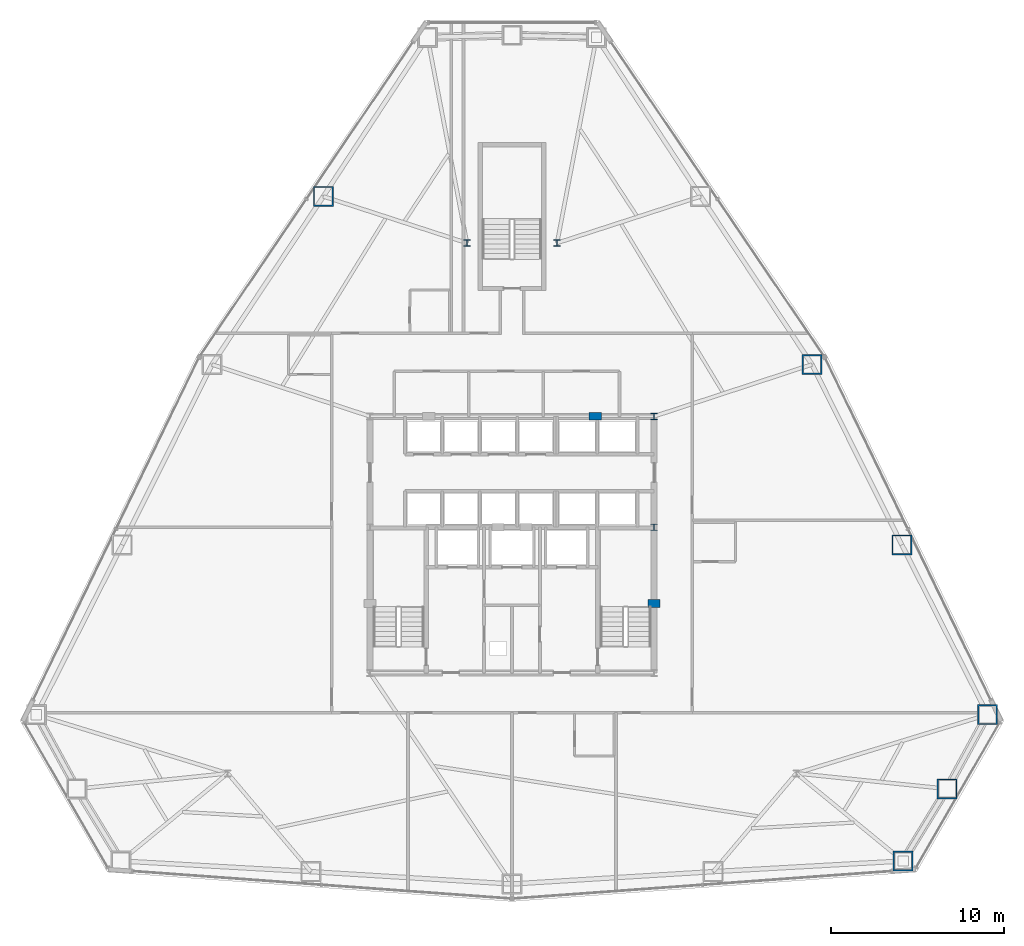
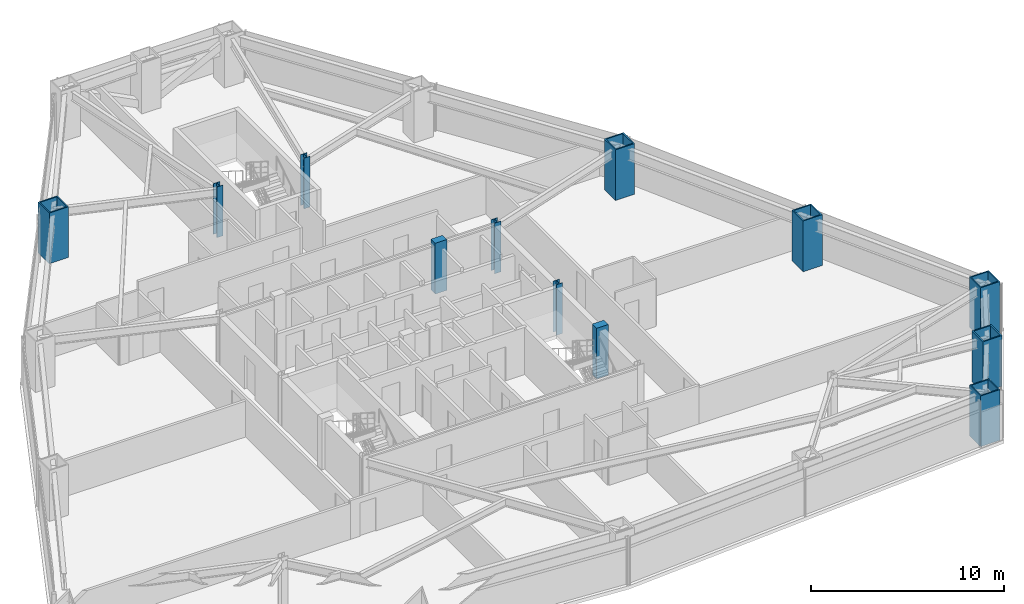
# One storey, part 2 of 12: 12 columns.
"""IFC4 building model written with IfcOpenShell, lengths in metres."""

from ifc_helpers import new_model, si_unit, direction, frame, origin, origin_2d, place, context, subcontext, project, spatial, rectangle, hollow_rectangle, i_section, extrude, material, material_profile, profile_set, type_object, element, save


model = new_model("IFC4")

# Units and contexts
model_context = context("Model", 3, precision=1e-05, world=origin(), true_north=direction((0.0, 1.0)))
body_context = subcontext(model_context, "Body", "Model", "MODEL_VIEW")
ifc_project = project(units=[si_unit("LENGTHUNIT", "METRE"), si_unit("AREAUNIT", "SQUARE_METRE"), si_unit("VOLUMEUNIT", "CUBIC_METRE"), si_unit("PLANEANGLEUNIT", "RADIAN"), si_unit("MASSUNIT", "GRAM", prefix="KILO")], contexts=[model_context])

# Site, building, storey
site_placement = place(None, origin())
site = spatial("IfcSite", under=ifc_project, at=site_placement, CompositionType="ELEMENT")
building_placement = place(site_placement, origin())
building = spatial("IfcBuilding", under=site, at=building_placement, Name="Varakhsha Concourse Tower", CompositionType="ELEMENT")
storey_placement = place(building_placement, frame((0.0, 0.0, 56.0)))
storey = spatial("IfcBuildingStorey", under=building, at=storey_placement, Name="L15", CompositionType="ELEMENT", Elevation=56.0)

# Columns
ifc_material_1 = material(Name="Structural Steel ASTM A992 Grade 50", Category="steel")
ifc_material_profile_1 = material_profile(ifc_material_1, i_section(OverallWidth=0.3740234375, OverallDepth=0.3720703125, WebThickness=0.01611328125, FlangeThickness=0.02587890625, at=origin_2d()), Name="W14X132")
ifc_profile_set_1 = profile_set([ifc_material_profile_1], Name="Structural Steel ASTM A992 Grade 50")
column_type_1 = type_object("IfcColumnType", Name="CL-CORE-W14X132", PredefinedType="COLUMN", material=ifc_profile_set_1)
for number, where, z_axis, x_axis, name in (
    (1, (48.199951171875, 24.800048828125, 0.0), (0.0, 0.0, 1.0), (1.0, 0.0, 0.0), "L15 Core Column CC-ME"),
    (2, (48.199951171875, 31.199951171875, 0.0), (0.0, 0.0, 1.0), (1.0, 0.0, 0.0), "L15 Core Column CC-NE"),
    (3, (37.39990234375, 41.199951171875, 0.0), (0.0, 0.0, 1.0), (1.0, 0.0, 0.0), "L15 Core Column NS-W"),
    (4, (42.60009765625, 41.199951171875, 0.0), (0.0, 0.0, 1.0), (1.0, 0.0, 0.0), "L15 Core Column NS-E"),
):
    element("IfcColumn", number, at=place(storey_placement, frame(where, z_axis=z_axis, x_axis=x_axis)), inside=storey, type_object=column_type_1, Name=name, PredefinedType="COLUMN", context=body_context, shape_type="SweptSolid", body=[
        extrude(i_section(OverallWidth=0.3740234375, OverallDepth=0.3720703125, WebThickness=0.01611328125, FlangeThickness=0.02587890625, at=origin_2d()), origin(), (0.0, 0.0, 1.0), 3.199951171875),
    ])
ifc_material_2 = material(Name="Concrete fc 65 MPa", Category="concrete")
ifc_material_profile_2 = material_profile(ifc_material_2, rectangle(XDim=0.699951171875, YDim=0.449951171875, at=origin_2d()), Name="RC 700x450")
ifc_profile_set_2 = profile_set([ifc_material_profile_2], Name="Concrete fc 65 MPa")
column_type_2 = type_object("IfcColumnType", Name="CL-PIL-700X450", PredefinedType="PILASTER", material=ifc_profile_set_2)
for number, where, z_axis, x_axis, name in (
    (5, (48.199951171875, 20.39990234375, 0.0), (0.0, 0.0, 1.0), (1.0, 0.0, 0.0), "L15 Core Boundary Pilaster PIL-E1"),
    (6, (44.800048828125, 31.199951171875, 0.0), (0.0, 0.0, 1.0), (1.0, 0.0, 0.0), "L15 Core Boundary Pilaster PIL-N2"),
):
    element("IfcColumn", number, at=place(storey_placement, frame(where, z_axis=z_axis, x_axis=x_axis)), inside=storey, type_object=column_type_2, Name=name, PredefinedType="PILASTER", context=body_context, shape_type="SweptSolid", body=[
        extrude(rectangle(XDim=0.699951171875, YDim=0.449951171875, at=origin_2d()), origin(), (0.0, 0.0, 1.0), 3.199951171875),
    ])
ifc_material_3 = material(Name="Structural Steel ASTM A572 Grade 50", Category="steel")
ifc_material_profile_3 = material_profile(ifc_material_3, hollow_rectangle(XDim=1.14990234375, YDim=1.14990234375, WallThickness=0.074951171875, at=origin_2d()), Name="BOX 1150x1150x75")
ifc_profile_set_3 = profile_set([ifc_material_profile_3], Name="Structural Steel ASTM A572 Grade 50")
column_type_3 = type_object("IfcColumnType", Name="CL-TUBE-1150", PredefinedType="COLUMN", material=ifc_profile_set_3)
for number, where, z_axis, x_axis, name in (
    (7, (29.115966796875, 43.887451171875, 0.0), (0.0, 0.0, 1.0), (1.0, 0.0, 0.0), "L15 Framed-Tube Column TC04"),
    (8, (62.56298828125, 5.544921875, 0.0), (0.0, 0.0, 1.0), (1.0, 0.0, 0.0), "L15 Framed-Tube Column TC13"),
    (9, (65.102294921875, 9.707275390625, 0.0), (0.0, 0.0, 1.0), (1.0, 0.0, 0.0), "L15 Framed-Tube Column TC14"),
    (10, (67.437255859375, 13.987548828125, 0.0), (0.0, 0.0, 1.0), (1.0, 0.0, 0.0), "L15 Framed-Tube Column TC15"),
    (11, (62.49169921875, 23.7822265625, 0.0), (0.0, 0.0, 1.0), (1.0, 0.0, 0.0), "L15 Framed-Tube Column TC16"),
    (12, (57.305419921875, 34.19140625, 0.0), (0.0, 0.0, 1.0), (1.0, 0.0, 0.0), "L15 Framed-Tube Column TC17"),
):
    element("IfcColumn", number, at=place(storey_placement, frame(where, z_axis=z_axis, x_axis=x_axis)), inside=storey, type_object=column_type_3, Name=name, PredefinedType="COLUMN", context=body_context, shape_type="SweptSolid", body=[
        extrude(hollow_rectangle(XDim=1.14990234375, YDim=1.14990234375, WallThickness=0.074951171875, at=origin_2d()), origin(), (0.0, 0.0, 1.0), 3.199951171875),
    ])

save(model, "model.ifc")
